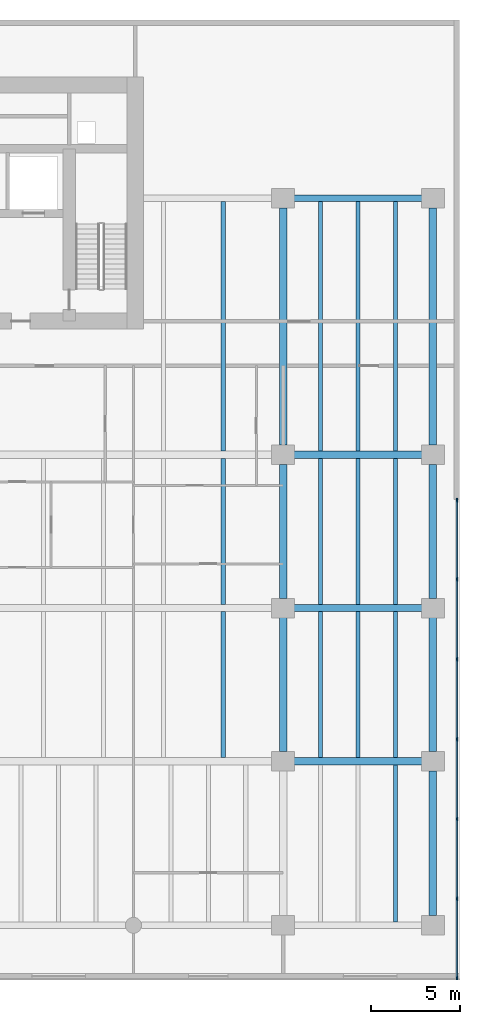
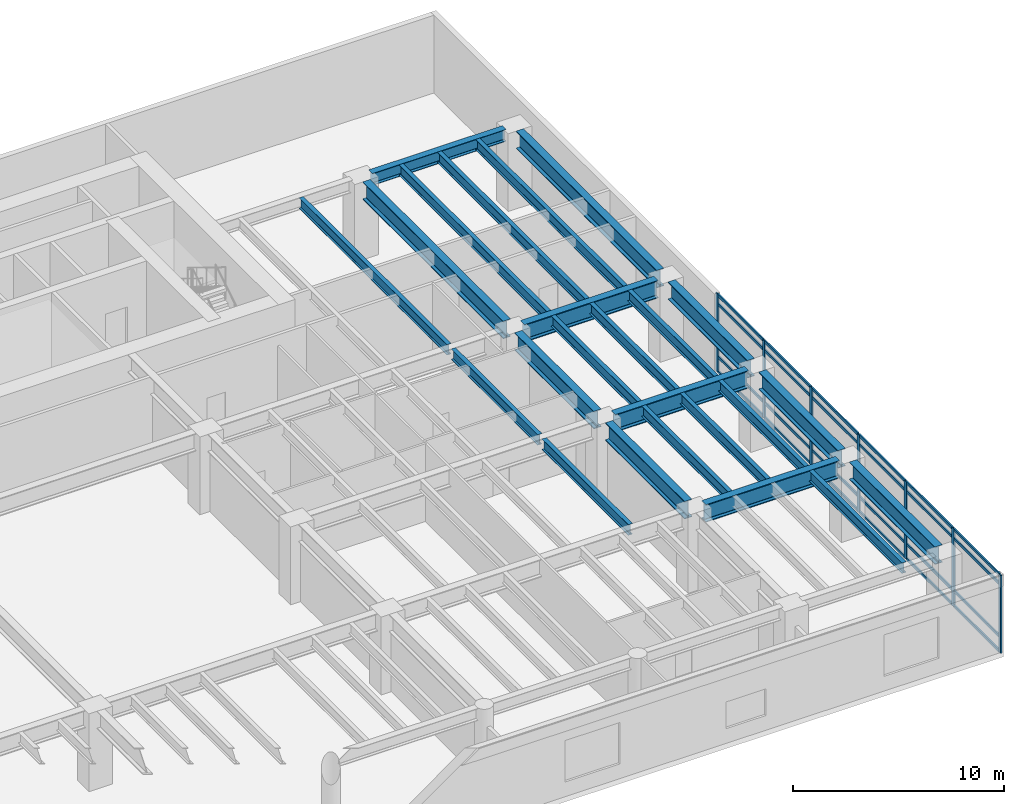
# One storey, part 4 of 13: 31 members, 24 beams, 1 element without a shape of its own.
"""IFC4 building model written with IfcOpenShell, lengths in metres."""

from ifc_helpers import new_model, si_unit, direction, frame, origin, origin_2d, place, context, subcontext, project, spatial, rectangle, i_section, extrude, material, layer, layer_set, material_profile, profile_set, type_object, element, aggregate, save


model = new_model("IFC4")

# Units and contexts
model_context = context("Model", 3, precision=1e-05, world=origin(), true_north=direction((0.0, 1.0)))
body_context = subcontext(model_context, "Body", "Model", "MODEL_VIEW")
ifc_project = project(units=[si_unit("LENGTHUNIT", "METRE"), si_unit("AREAUNIT", "SQUARE_METRE"), si_unit("VOLUMEUNIT", "CUBIC_METRE"), si_unit("PLANEANGLEUNIT", "RADIAN"), si_unit("MASSUNIT", "GRAM", prefix="KILO")], contexts=[model_context])

# Site, building, storey
site_placement = place(None, origin())
site = spatial("IfcSite", under=ifc_project, at=site_placement, CompositionType="ELEMENT")
building_placement = place(site_placement, origin())
building = spatial("IfcBuilding", under=site, at=building_placement, Name="Caelmar Bay Residences", CompositionType="ELEMENT")
storey_placement = place(building_placement, frame((0.0, 0.0, 5.39990234375)))
storey = spatial("IfcBuildingStorey", under=building, at=storey_placement, Name="L01", CompositionType="ELEMENT", Elevation=5.39990234375)

# Beams
ifc_material_1 = material(Name="Steel ASTM A992 Grade 50", Category="steel")
ifc_material_profile_1 = material_profile(ifc_material_1, i_section(OverallWidth=0.404052734375, OverallDepth=1.02099609375, WebThickness=0.025390625, FlangeThickness=0.0458984375, FilletRadius=0.02294921875, at=origin_2d()), Name="W40X324")
ifc_profile_set_1 = profile_set([ifc_material_profile_1], Name="Steel ASTM A992 Grade 50")
beam_type_1 = type_object("IfcBeamType", Name="BM-GRD-W40X324", PredefinedType="BEAM", material=ifc_profile_set_1)
for number, where, z_axis, x_axis, name in (
    (1, (68.43994140625, 12.199951171875, 3.989501953125), (1.0, 0.0, 0.0), (0.0, 1.0, 0.0), "L01 East-West Girder Y=12.20 (67.9-76.3)"),
    (2, (68.43994140625, 20.800048828125, 3.989501953125), (1.0, 0.0, 0.0), (0.0, 1.0, 0.0), "L01 East-West Girder Y=20.80 (67.9-76.3)"),
    (3, (68.43994140625, 29.39990234375, 3.989501953125), (1.0, 0.0, 0.0), (0.0, 1.0, 0.0), "L01 East-West Girder Y=29.40 (67.9-76.3)"),
):
    element("IfcBeam", number, at=place(storey_placement, frame(where, z_axis=z_axis, x_axis=x_axis)), inside=storey, type_object=beam_type_1, Name=name, PredefinedType="BEAM", context=body_context, shape_type="SweptSolid", body=[
        extrude(i_section(OverallWidth=0.404052734375, OverallDepth=1.02099609375, WebThickness=0.025390625, FlangeThickness=0.0458984375, FilletRadius=0.02294921875, at=origin_2d()), origin(), (0.0, 0.0, 1.0), 7.320068359375),
    ])
for number, where, z_axis, x_axis, name in (
    (4, (67.89990234375, 12.739990234375, 3.989501953125), (0.0, 1.0, 0.0), (-1.0, 0.0, 0.0), "L01 North-South Girder X=67.90 (12.2-20.8)"),
    (5, (67.89990234375, 21.340087890625, 3.989501953125), (0.0, 1.0, 0.0), (-1.0, 0.0, 0.0), "L01 North-South Girder X=67.90 (20.8-29.4)"),
):
    element("IfcBeam", number, at=place(storey_placement, frame(where, z_axis=z_axis, x_axis=x_axis)), inside=storey, type_object=beam_type_1, Name=name, PredefinedType="BEAM", context=body_context, shape_type="SweptSolid", body=[
        extrude(i_section(OverallWidth=0.404052734375, OverallDepth=1.02099609375, WebThickness=0.025390625, FlangeThickness=0.0458984375, FilletRadius=0.02294921875, at=origin_2d()), origin(), (0.0, 0.0, 1.0), 7.52001953125),
    ])
beam_1_placement = place(storey_placement, frame((67.89990234375, 29.93994140625, 3.989501953125), z_axis=(0.0, 1.0, 0.0), x_axis=(-1.0, 0.0, 0.0)))
element("IfcBeam", 6, at=beam_1_placement, inside=storey, type_object=beam_type_1, Name="L01 North-South Girder X=67.90 (29.4-43.8)", PredefinedType="BEAM", context=body_context, shape_type="SweptSolid", body=[
    extrude(i_section(OverallWidth=0.404052734375, OverallDepth=1.02099609375, WebThickness=0.025390625, FlangeThickness=0.0458984375, FilletRadius=0.02294921875, at=origin_2d()), origin(), (0.0, 0.0, 1.0), 13.320068359375),
])
beam_2_placement = place(storey_placement, frame((76.300048828125, 3.5400390625, 3.989501953125), z_axis=(0.0, 1.0, 0.0), x_axis=(-1.0, 0.0, 0.0)))
element("IfcBeam", 7, at=beam_2_placement, inside=storey, type_object=beam_type_1, Name="L01 North-South Girder X=76.30 (3.0-12.2)", PredefinedType="BEAM", context=body_context, shape_type="SweptSolid", body=[
    extrude(i_section(OverallWidth=0.404052734375, OverallDepth=1.02099609375, WebThickness=0.025390625, FlangeThickness=0.0458984375, FilletRadius=0.02294921875, at=origin_2d()), origin(), (0.0, 0.0, 1.0), 8.119873046875),
])
for number, where, z_axis, x_axis, name in (
    (8, (76.300048828125, 12.739990234375, 3.989501953125), (0.0, 1.0, 0.0), (-1.0, 0.0, 0.0), "L01 North-South Girder X=76.30 (12.2-20.8)"),
    (9, (76.300048828125, 21.340087890625, 3.989501953125), (0.0, 1.0, 0.0), (-1.0, 0.0, 0.0), "L01 North-South Girder X=76.30 (20.8-29.4)"),
):
    element("IfcBeam", number, at=place(storey_placement, frame(where, z_axis=z_axis, x_axis=x_axis)), inside=storey, type_object=beam_type_1, Name=name, PredefinedType="BEAM", context=body_context, shape_type="SweptSolid", body=[
        extrude(i_section(OverallWidth=0.404052734375, OverallDepth=1.02099609375, WebThickness=0.025390625, FlangeThickness=0.0458984375, FilletRadius=0.02294921875, at=origin_2d()), origin(), (0.0, 0.0, 1.0), 7.52001953125),
    ])
beam_3_placement = place(storey_placement, frame((76.300048828125, 29.93994140625, 3.989501953125), z_axis=(0.0, 1.0, 0.0), x_axis=(-1.0, 0.0, 0.0)))
element("IfcBeam", 10, at=beam_3_placement, inside=storey, type_object=beam_type_1, Name="L01 North-South Girder X=76.30 (29.4-43.8)", PredefinedType="BEAM", context=body_context, shape_type="SweptSolid", body=[
    extrude(i_section(OverallWidth=0.404052734375, OverallDepth=1.02099609375, WebThickness=0.025390625, FlangeThickness=0.0458984375, FilletRadius=0.02294921875, at=origin_2d()), origin(), (0.0, 0.0, 1.0), 13.320068359375),
])
ifc_material_profile_2 = material_profile(ifc_material_1, i_section(OverallWidth=0.22900390625, OverallDepth=0.612060546875, WebThickness=0.011962890625, FlangeThickness=0.01953125, FilletRadius=0.0126953125, at=origin_2d()), Name="W24X84")
ifc_profile_set_2 = profile_set([ifc_material_profile_2], Name="Steel ASTM A992 Grade 50")
beam_type_2 = type_object("IfcBeamType", Name="BM-JST-W24X84", PredefinedType="JOIST", material=ifc_profile_set_2)
beam_4_placement = place(storey_placement, frame((74.199951171875, 3.177978515625, 4.194091796875), z_axis=(0.0, 1.0, 0.0), x_axis=(-1.0, 0.0, 0.0)))
element("IfcBeam", 11, at=beam_4_placement, inside=storey, type_object=beam_type_2, Name="L01 Composite Floor Joist 27", PredefinedType="JOIST", context=body_context, shape_type="SweptSolid", body=[
    extrude(i_section(OverallWidth=0.22900390625, OverallDepth=0.612060546875, WebThickness=0.011962890625, FlangeThickness=0.01953125, FilletRadius=0.0126953125, at=origin_2d()), origin(), (0.0, 0.0, 1.0), 8.820068359375),
])
for number, where, z_axis, x_axis, name in (
    (12, (64.5400390625, 12.402099609375, 4.194091796875), (0.0, 1.0, 0.0), (-1.0, 0.0, 0.0), "L01 Composite Floor Joist 38"),
    (13, (70.0, 12.402099609375, 4.194091796875), (0.0, 1.0, 0.0), (-1.0, 0.0, 0.0), "L01 Composite Floor Joist 39"),
    (14, (72.10009765625, 12.402099609375, 4.194091796875), (0.0, 1.0, 0.0), (-1.0, 0.0, 0.0), "L01 Composite Floor Joist 40"),
    (15, (74.199951171875, 12.402099609375, 4.194091796875), (0.0, 1.0, 0.0), (-1.0, 0.0, 0.0), "L01 Composite Floor Joist 41"),
):
    element("IfcBeam", number, at=place(storey_placement, frame(where, z_axis=z_axis, x_axis=x_axis)), inside=storey, type_object=beam_type_2, Name=name, PredefinedType="JOIST", context=body_context, shape_type="SweptSolid", body=[
        extrude(i_section(OverallWidth=0.22900390625, OverallDepth=0.612060546875, WebThickness=0.011962890625, FlangeThickness=0.01953125, FilletRadius=0.0126953125, at=origin_2d()), origin(), (0.0, 0.0, 1.0), 8.19580078125),
    ])
for number, where, z_axis, x_axis, name in (
    (16, (64.5400390625, 21.001953125, 4.194091796875), (0.0, 1.0, 0.0), (-1.0, 0.0, 0.0), "L01 Composite Floor Joist 52"),
    (17, (70.0, 21.001953125, 4.194091796875), (0.0, 1.0, 0.0), (-1.0, 0.0, 0.0), "L01 Composite Floor Joist 53"),
    (18, (72.10009765625, 21.001953125, 4.194091796875), (0.0, 1.0, 0.0), (-1.0, 0.0, 0.0), "L01 Composite Floor Joist 54"),
    (19, (74.199951171875, 21.001953125, 4.194091796875), (0.0, 1.0, 0.0), (-1.0, 0.0, 0.0), "L01 Composite Floor Joist 55"),
):
    element("IfcBeam", number, at=place(storey_placement, frame(where, z_axis=z_axis, x_axis=x_axis)), inside=storey, type_object=beam_type_2, Name=name, PredefinedType="JOIST", context=body_context, shape_type="SweptSolid", body=[
        extrude(i_section(OverallWidth=0.22900390625, OverallDepth=0.612060546875, WebThickness=0.011962890625, FlangeThickness=0.01953125, FilletRadius=0.0126953125, at=origin_2d()), origin(), (0.0, 0.0, 1.0), 8.196044921875),
    ])
for number, where, z_axis, x_axis, name in (
    (20, (64.5400390625, 29.60205078125, 4.194091796875), (0.0, 1.0, 0.0), (-1.0, 0.0, 0.0), "L01 Composite Floor Joist 63"),
    (21, (70.0, 29.60205078125, 4.194091796875), (0.0, 1.0, 0.0), (-1.0, 0.0, 0.0), "L01 Composite Floor Joist 64"),
    (22, (72.10009765625, 29.60205078125, 4.194091796875), (0.0, 1.0, 0.0), (-1.0, 0.0, 0.0), "L01 Composite Floor Joist 65"),
    (23, (74.199951171875, 29.60205078125, 4.194091796875), (0.0, 1.0, 0.0), (-1.0, 0.0, 0.0), "L01 Composite Floor Joist 66"),
):
    element("IfcBeam", number, at=place(storey_placement, frame(where, z_axis=z_axis, x_axis=x_axis)), inside=storey, type_object=beam_type_2, Name=name, PredefinedType="JOIST", context=body_context, shape_type="SweptSolid", body=[
        extrude(i_section(OverallWidth=0.22900390625, OverallDepth=0.612060546875, WebThickness=0.011962890625, FlangeThickness=0.01953125, FilletRadius=0.0126953125, at=origin_2d()), origin(), (0.0, 0.0, 1.0), 14.02001953125),
    ])
ifc_material_profile_3 = material_profile(ifc_material_1, i_section(OverallWidth=0.35595703125, OverallDepth=0.696044921875, WebThickness=0.015380859375, FlangeThickness=0.02490234375, FilletRadius=0.01513671875, at=origin_2d()), Name="W27X146")
ifc_profile_set_3 = profile_set([ifc_material_profile_3], Name="Steel ASTM A992 Grade 50")
beam_type_3 = type_object("IfcBeamType", Name="BM-SPN-W27X146", PredefinedType="SPANDREL", material=ifc_profile_set_3)
beam_5_placement = place(storey_placement, frame((68.43994140625, 43.800048828125, 4.152099609375), z_axis=(1.0, 0.0, 0.0), x_axis=(0.0, 1.0, 0.0)))
element("IfcBeam", 24, at=beam_5_placement, inside=storey, type_object=beam_type_3, Name="L01 East-West Girder Y=43.80 (67.9-76.3)", PredefinedType="SPANDREL", context=body_context, shape_type="SweptSolid", body=[
    extrude(i_section(OverallWidth=0.35595703125, OverallDepth=0.696044921875, WebThickness=0.015380859375, FlangeThickness=0.02490234375, FilletRadius=0.01513671875, at=origin_2d()), origin(), (0.0, 0.0, 1.0), 7.320068359375),
])

# Curtain wall, members
ifc_material_2 = material(Name="Anodised bronze aluminium 6063-T6 and laminated glass", Category="aluminium")
ifc_layer = layer(ifc_material_2, 0.179931640625)
ifc_layer_set = layer_set([ifc_layer], Name="Anodised bronze aluminium 6063-T6 and laminated glass")
curtain_wall_type = type_object("IfcCurtainWallType", Name="CW1-POD", PredefinedType="NOTDEFINED", material=ifc_layer_set)
curtain_wall_placement = place(storey_placement, origin())
curtain_wall = element("IfcCurtainWall", 25, at=curtain_wall_placement, inside=storey, type_object=curtain_wall_type, Name="CW1 curtain wall L01", PredefinedType="NOTDEFINED")
ifc_material_3 = material(Name="Anodised bronze aluminium 6063-T6", Category="aluminium")
ifc_material_profile_4 = material_profile(ifc_material_3, rectangle(XDim=0.080078125, YDim=0.219970703125, at=origin_2d()), Name="CWM-80X220")
ifc_profile_set_4 = profile_set([ifc_material_profile_4], Name="Anodised bronze aluminium 6063-T6")
member_type_1 = type_object("IfcMemberType", Name="CWM-220", PredefinedType="MULLION", material=ifc_profile_set_4)
member_1_placement = place(storey_placement, frame((77.64990234375, 26.860107421875, 0.0), z_axis=(0.0, 0.0, 1.0), x_axis=(1.0, 0.0, 0.0)))
member_1 = element("IfcMember", 26, at=member_1_placement, type_object=member_type_1, Name="CW1 mullion 1", PredefinedType="MULLION", context=body_context, shape_type="SweptSolid", body=[
    extrude(rectangle(XDim=0.080078125, YDim=0.219970703125, at=origin_2d()), origin(), (0.0, 0.0, 1.0), 4.5),
])
member_2_placement = place(storey_placement, frame((77.64990234375, 22.416748046875, 0.0), z_axis=(0.0, 0.0, 1.0), x_axis=(1.0, 0.0, 0.0)))
member_2 = element("IfcMember", 27, at=member_2_placement, type_object=member_type_1, Name="CW1 mullion 2", PredefinedType="MULLION", context=body_context, shape_type="SweptSolid", body=[
    extrude(rectangle(XDim=0.080078125, YDim=0.219970703125, at=origin_2d()), origin(), (0.0, 0.0, 1.0), 4.5),
])
member_3_placement = place(storey_placement, frame((77.64990234375, 17.933349609375, 0.0), z_axis=(0.0, 0.0, 1.0), x_axis=(1.0, 0.0, 0.0)))
member_3 = element("IfcMember", 28, at=member_3_placement, type_object=member_type_1, Name="CW1 mullion 3", PredefinedType="MULLION", context=body_context, shape_type="SweptSolid", body=[
    extrude(rectangle(XDim=0.080078125, YDim=0.219970703125, at=origin_2d()), origin(), (0.0, 0.0, 1.0), 4.5),
])
member_4_placement = place(storey_placement, frame((77.64990234375, 13.449951171875, 0.0), z_axis=(0.0, 0.0, 1.0), x_axis=(1.0, 0.0, 0.0)))
member_4 = element("IfcMember", 29, at=member_4_placement, type_object=member_type_1, Name="CW1 mullion 4", PredefinedType="MULLION", context=body_context, shape_type="SweptSolid", body=[
    extrude(rectangle(XDim=0.080078125, YDim=0.219970703125, at=origin_2d()), origin(), (0.0, 0.0, 1.0), 4.5),
])
member_5_placement = place(storey_placement, frame((77.64990234375, 8.966552734375, 0.0), z_axis=(0.0, 0.0, 1.0), x_axis=(1.0, 0.0, 0.0)))
member_5 = element("IfcMember", 30, at=member_5_placement, type_object=member_type_1, Name="CW1 mullion 5", PredefinedType="MULLION", context=body_context, shape_type="SweptSolid", body=[
    extrude(rectangle(XDim=0.080078125, YDim=0.219970703125, at=origin_2d()), origin(), (0.0, 0.0, 1.0), 4.5),
])
member_6_placement = place(storey_placement, frame((77.64990234375, 4.4833984375, 0.0), z_axis=(0.0, 0.0, 1.0), x_axis=(1.0, 0.0, 0.0)))
member_6 = element("IfcMember", 31, at=member_6_placement, type_object=member_type_1, Name="CW1 mullion 6", PredefinedType="MULLION", context=body_context, shape_type="SweptSolid", body=[
    extrude(rectangle(XDim=0.080078125, YDim=0.219970703125, at=origin_2d()), origin(), (0.0, 0.0, 1.0), 4.5),
])
member_7_placement = place(storey_placement, frame((77.64990234375, 0.0400390625, 0.0), z_axis=(0.0, 0.0, 1.0), x_axis=(1.0, 0.0, 0.0)))
member_7 = element("IfcMember", 32, at=member_7_placement, type_object=member_type_1, Name="CW1 mullion 7", PredefinedType="MULLION", context=body_context, shape_type="SweptSolid", body=[
    extrude(rectangle(XDim=0.080078125, YDim=0.219970703125, at=origin_2d()), origin(), (0.0, 0.0, 1.0), 4.5),
])
ifc_material_profile_5 = material_profile(ifc_material_3, rectangle(XDim=0.080078125, YDim=0.159912109375, at=origin_2d()), Name="CWT-80X160")
ifc_profile_set_5 = profile_set([ifc_material_profile_5], Name="Anodised bronze aluminium 6063-T6")
member_type_2 = type_object("IfcMemberType", Name="CWT-160", PredefinedType="NOTDEFINED", material=ifc_profile_set_5)
member_8_placement = place(storey_placement, frame((77.64990234375, 26.820068359375, 0.0400390625), z_axis=(0.0, -1.0, 0.0), x_axis=(1.0, 0.0, 0.0)))
member_8 = element("IfcMember", 33, at=member_8_placement, type_object=member_type_2, Name="CW1 transom 1.1", ObjectType="TRANSOM", PredefinedType="USERDEFINED", context=body_context, shape_type="SweptSolid", body=[
    extrude(rectangle(XDim=0.080078125, YDim=0.159912109375, at=origin_2d()), origin(), (0.0, 0.0, 1.0), 4.36328125),
])
member_9_placement = place(storey_placement, frame((77.64990234375, 26.820068359375, 0.900146484375), z_axis=(0.0, -1.0, 0.0), x_axis=(1.0, 0.0, 0.0)))
member_9 = element("IfcMember", 34, at=member_9_placement, type_object=member_type_2, Name="CW1 transom 1.2", ObjectType="TRANSOM", PredefinedType="USERDEFINED", context=body_context, shape_type="SweptSolid", body=[
    extrude(rectangle(XDim=0.080078125, YDim=0.159912109375, at=origin_2d()), origin(), (0.0, 0.0, 1.0), 4.36328125),
])
member_10_placement = place(storey_placement, frame((77.64990234375, 26.820068359375, 3.9501953125), z_axis=(0.0, -1.0, 0.0), x_axis=(1.0, 0.0, 0.0)))
member_10 = element("IfcMember", 35, at=member_10_placement, type_object=member_type_2, Name="CW1 transom 1.3", ObjectType="TRANSOM", PredefinedType="USERDEFINED", context=body_context, shape_type="SweptSolid", body=[
    extrude(rectangle(XDim=0.080078125, YDim=0.159912109375, at=origin_2d()), origin(), (0.0, 0.0, 1.0), 4.36328125),
])
member_11_placement = place(storey_placement, frame((77.64990234375, 26.820068359375, 4.460205078125), z_axis=(0.0, -1.0, 0.0), x_axis=(1.0, 0.0, 0.0)))
member_11 = element("IfcMember", 36, at=member_11_placement, type_object=member_type_2, Name="CW1 transom 1.4", ObjectType="TRANSOM", PredefinedType="USERDEFINED", context=body_context, shape_type="SweptSolid", body=[
    extrude(rectangle(XDim=0.080078125, YDim=0.159912109375, at=origin_2d()), origin(), (0.0, 0.0, 1.0), 4.36328125),
])
member_12_placement = place(storey_placement, frame((77.64990234375, 22.376708984375, 0.0400390625), z_axis=(0.0, -1.0, 0.0), x_axis=(1.0, 0.0, 0.0)))
member_12 = element("IfcMember", 37, at=member_12_placement, type_object=member_type_2, Name="CW1 transom 2.1", ObjectType="TRANSOM", PredefinedType="USERDEFINED", context=body_context, shape_type="SweptSolid", body=[
    extrude(rectangle(XDim=0.080078125, YDim=0.159912109375, at=origin_2d()), origin(), (0.0, 0.0, 1.0), 4.4033203125),
])
member_13_placement = place(storey_placement, frame((77.64990234375, 22.376708984375, 0.900146484375), z_axis=(0.0, -1.0, 0.0), x_axis=(1.0, 0.0, 0.0)))
member_13 = element("IfcMember", 38, at=member_13_placement, type_object=member_type_2, Name="CW1 transom 2.2", ObjectType="TRANSOM", PredefinedType="USERDEFINED", context=body_context, shape_type="SweptSolid", body=[
    extrude(rectangle(XDim=0.080078125, YDim=0.159912109375, at=origin_2d()), origin(), (0.0, 0.0, 1.0), 4.4033203125),
])
member_14_placement = place(storey_placement, frame((77.64990234375, 22.376708984375, 3.9501953125), z_axis=(0.0, -1.0, 0.0), x_axis=(1.0, 0.0, 0.0)))
member_14 = element("IfcMember", 39, at=member_14_placement, type_object=member_type_2, Name="CW1 transom 2.3", ObjectType="TRANSOM", PredefinedType="USERDEFINED", context=body_context, shape_type="SweptSolid", body=[
    extrude(rectangle(XDim=0.080078125, YDim=0.159912109375, at=origin_2d()), origin(), (0.0, 0.0, 1.0), 4.4033203125),
])
member_15_placement = place(storey_placement, frame((77.64990234375, 22.376708984375, 4.460205078125), z_axis=(0.0, -1.0, 0.0), x_axis=(1.0, 0.0, 0.0)))
member_15 = element("IfcMember", 40, at=member_15_placement, type_object=member_type_2, Name="CW1 transom 2.4", ObjectType="TRANSOM", PredefinedType="USERDEFINED", context=body_context, shape_type="SweptSolid", body=[
    extrude(rectangle(XDim=0.080078125, YDim=0.159912109375, at=origin_2d()), origin(), (0.0, 0.0, 1.0), 4.4033203125),
])
member_16_placement = place(storey_placement, frame((77.64990234375, 17.893310546875, 0.0400390625), z_axis=(0.0, -1.0, 0.0), x_axis=(1.0, 0.0, 0.0)))
member_16 = element("IfcMember", 41, at=member_16_placement, type_object=member_type_2, Name="CW1 transom 3.1", ObjectType="TRANSOM", PredefinedType="USERDEFINED", context=body_context, shape_type="SweptSolid", body=[
    extrude(rectangle(XDim=0.080078125, YDim=0.159912109375, at=origin_2d()), origin(), (0.0, 0.0, 1.0), 4.4033203125),
])
member_17_placement = place(storey_placement, frame((77.64990234375, 17.893310546875, 0.900146484375), z_axis=(0.0, -1.0, 0.0), x_axis=(1.0, 0.0, 0.0)))
member_17 = element("IfcMember", 42, at=member_17_placement, type_object=member_type_2, Name="CW1 transom 3.2", ObjectType="TRANSOM", PredefinedType="USERDEFINED", context=body_context, shape_type="SweptSolid", body=[
    extrude(rectangle(XDim=0.080078125, YDim=0.159912109375, at=origin_2d()), origin(), (0.0, 0.0, 1.0), 4.4033203125),
])
member_18_placement = place(storey_placement, frame((77.64990234375, 17.893310546875, 3.9501953125), z_axis=(0.0, -1.0, 0.0), x_axis=(1.0, 0.0, 0.0)))
member_18 = element("IfcMember", 43, at=member_18_placement, type_object=member_type_2, Name="CW1 transom 3.3", ObjectType="TRANSOM", PredefinedType="USERDEFINED", context=body_context, shape_type="SweptSolid", body=[
    extrude(rectangle(XDim=0.080078125, YDim=0.159912109375, at=origin_2d()), origin(), (0.0, 0.0, 1.0), 4.4033203125),
])
member_19_placement = place(storey_placement, frame((77.64990234375, 17.893310546875, 4.460205078125), z_axis=(0.0, -1.0, 0.0), x_axis=(1.0, 0.0, 0.0)))
member_19 = element("IfcMember", 44, at=member_19_placement, type_object=member_type_2, Name="CW1 transom 3.4", ObjectType="TRANSOM", PredefinedType="USERDEFINED", context=body_context, shape_type="SweptSolid", body=[
    extrude(rectangle(XDim=0.080078125, YDim=0.159912109375, at=origin_2d()), origin(), (0.0, 0.0, 1.0), 4.4033203125),
])
member_20_placement = place(storey_placement, frame((77.64990234375, 13.409912109375, 0.0400390625), z_axis=(0.0, -1.0, 0.0), x_axis=(1.0, 0.0, 0.0)))
member_20 = element("IfcMember", 45, at=member_20_placement, type_object=member_type_2, Name="CW1 transom 4.1", ObjectType="TRANSOM", PredefinedType="USERDEFINED", context=body_context, shape_type="SweptSolid", body=[
    extrude(rectangle(XDim=0.080078125, YDim=0.159912109375, at=origin_2d()), origin(), (0.0, 0.0, 1.0), 4.4033203125),
])
member_21_placement = place(storey_placement, frame((77.64990234375, 13.409912109375, 0.900146484375), z_axis=(0.0, -1.0, 0.0), x_axis=(1.0, 0.0, 0.0)))
member_21 = element("IfcMember", 46, at=member_21_placement, type_object=member_type_2, Name="CW1 transom 4.2", ObjectType="TRANSOM", PredefinedType="USERDEFINED", context=body_context, shape_type="SweptSolid", body=[
    extrude(rectangle(XDim=0.080078125, YDim=0.159912109375, at=origin_2d()), origin(), (0.0, 0.0, 1.0), 4.4033203125),
])
member_22_placement = place(storey_placement, frame((77.64990234375, 13.409912109375, 3.9501953125), z_axis=(0.0, -1.0, 0.0), x_axis=(1.0, 0.0, 0.0)))
member_22 = element("IfcMember", 47, at=member_22_placement, type_object=member_type_2, Name="CW1 transom 4.3", ObjectType="TRANSOM", PredefinedType="USERDEFINED", context=body_context, shape_type="SweptSolid", body=[
    extrude(rectangle(XDim=0.080078125, YDim=0.159912109375, at=origin_2d()), origin(), (0.0, 0.0, 1.0), 4.4033203125),
])
member_23_placement = place(storey_placement, frame((77.64990234375, 13.409912109375, 4.460205078125), z_axis=(0.0, -1.0, 0.0), x_axis=(1.0, 0.0, 0.0)))
member_23 = element("IfcMember", 48, at=member_23_placement, type_object=member_type_2, Name="CW1 transom 4.4", ObjectType="TRANSOM", PredefinedType="USERDEFINED", context=body_context, shape_type="SweptSolid", body=[
    extrude(rectangle(XDim=0.080078125, YDim=0.159912109375, at=origin_2d()), origin(), (0.0, 0.0, 1.0), 4.4033203125),
])
member_24_placement = place(storey_placement, frame((77.64990234375, 8.9267578125, 0.0400390625), z_axis=(0.0, -1.0, 0.0), x_axis=(1.0, 0.0, 0.0)))
member_24 = element("IfcMember", 49, at=member_24_placement, type_object=member_type_2, Name="CW1 transom 5.1", ObjectType="TRANSOM", PredefinedType="USERDEFINED", context=body_context, shape_type="SweptSolid", body=[
    extrude(rectangle(XDim=0.080078125, YDim=0.159912109375, at=origin_2d()), origin(), (0.0, 0.0, 1.0), 4.4033203125),
])
member_25_placement = place(storey_placement, frame((77.64990234375, 8.9267578125, 0.900146484375), z_axis=(0.0, -1.0, 0.0), x_axis=(1.0, 0.0, 0.0)))
member_25 = element("IfcMember", 50, at=member_25_placement, type_object=member_type_2, Name="CW1 transom 5.2", ObjectType="TRANSOM", PredefinedType="USERDEFINED", context=body_context, shape_type="SweptSolid", body=[
    extrude(rectangle(XDim=0.080078125, YDim=0.159912109375, at=origin_2d()), origin(), (0.0, 0.0, 1.0), 4.4033203125),
])
member_26_placement = place(storey_placement, frame((77.64990234375, 8.9267578125, 3.9501953125), z_axis=(0.0, -1.0, 0.0), x_axis=(1.0, 0.0, 0.0)))
member_26 = element("IfcMember", 51, at=member_26_placement, type_object=member_type_2, Name="CW1 transom 5.3", ObjectType="TRANSOM", PredefinedType="USERDEFINED", context=body_context, shape_type="SweptSolid", body=[
    extrude(rectangle(XDim=0.080078125, YDim=0.159912109375, at=origin_2d()), origin(), (0.0, 0.0, 1.0), 4.4033203125),
])
member_27_placement = place(storey_placement, frame((77.64990234375, 8.9267578125, 4.460205078125), z_axis=(0.0, -1.0, 0.0), x_axis=(1.0, 0.0, 0.0)))
member_27 = element("IfcMember", 52, at=member_27_placement, type_object=member_type_2, Name="CW1 transom 5.4", ObjectType="TRANSOM", PredefinedType="USERDEFINED", context=body_context, shape_type="SweptSolid", body=[
    extrude(rectangle(XDim=0.080078125, YDim=0.159912109375, at=origin_2d()), origin(), (0.0, 0.0, 1.0), 4.4033203125),
])
member_28_placement = place(storey_placement, frame((77.64990234375, 4.443359375, 0.0400390625), z_axis=(0.0, -1.0, 0.0), x_axis=(1.0, 0.0, 0.0)))
member_28 = element("IfcMember", 53, at=member_28_placement, type_object=member_type_2, Name="CW1 transom 6.1", ObjectType="TRANSOM", PredefinedType="USERDEFINED", context=body_context, shape_type="SweptSolid", body=[
    extrude(rectangle(XDim=0.080078125, YDim=0.159912109375, at=origin_2d()), origin(), (0.0, 0.0, 1.0), 4.36328125),
])
member_29_placement = place(storey_placement, frame((77.64990234375, 4.443359375, 0.900146484375), z_axis=(0.0, -1.0, 0.0), x_axis=(1.0, 0.0, 0.0)))
member_29 = element("IfcMember", 54, at=member_29_placement, type_object=member_type_2, Name="CW1 transom 6.2", ObjectType="TRANSOM", PredefinedType="USERDEFINED", context=body_context, shape_type="SweptSolid", body=[
    extrude(rectangle(XDim=0.080078125, YDim=0.159912109375, at=origin_2d()), origin(), (0.0, 0.0, 1.0), 4.36328125),
])
member_30_placement = place(storey_placement, frame((77.64990234375, 4.443359375, 3.9501953125), z_axis=(0.0, -1.0, 0.0), x_axis=(1.0, 0.0, 0.0)))
member_30 = element("IfcMember", 55, at=member_30_placement, type_object=member_type_2, Name="CW1 transom 6.3", ObjectType="TRANSOM", PredefinedType="USERDEFINED", context=body_context, shape_type="SweptSolid", body=[
    extrude(rectangle(XDim=0.080078125, YDim=0.159912109375, at=origin_2d()), origin(), (0.0, 0.0, 1.0), 4.36328125),
])
member_31_placement = place(storey_placement, frame((77.64990234375, 4.443359375, 4.460205078125), z_axis=(0.0, -1.0, 0.0), x_axis=(1.0, 0.0, 0.0)))
member_31 = element("IfcMember", 56, at=member_31_placement, type_object=member_type_2, Name="CW1 transom 6.4", ObjectType="TRANSOM", PredefinedType="USERDEFINED", context=body_context, shape_type="SweptSolid", body=[
    extrude(rectangle(XDim=0.080078125, YDim=0.159912109375, at=origin_2d()), origin(), (0.0, 0.0, 1.0), 4.36328125),
])
aggregate(curtain_wall, [member_1, member_2, member_3, member_4, member_5, member_6, member_7, member_8, member_9, member_10, member_11, member_12, member_13, member_14, member_15, member_16, member_17, member_18, member_19, member_20, member_21, member_22, member_23, member_24, member_25, member_26, member_27, member_28, member_29, member_30, member_31])

save(model, "model.ifc")
